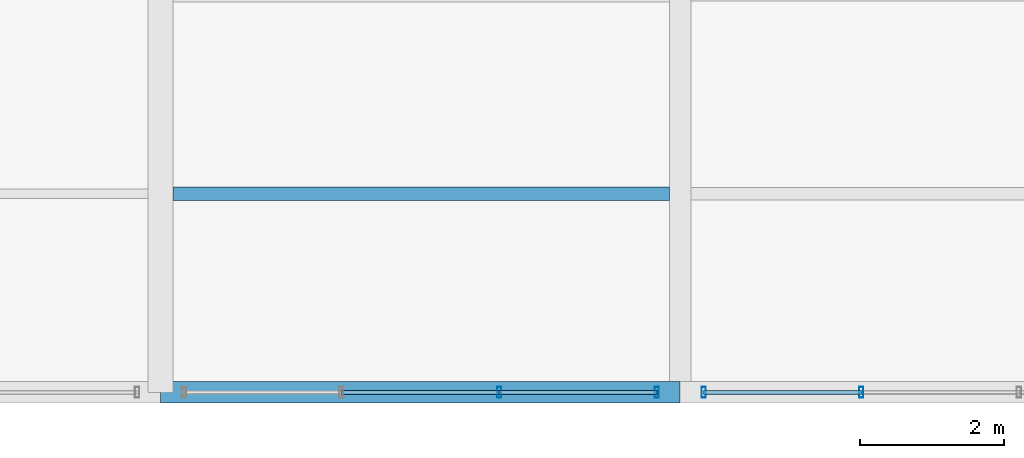
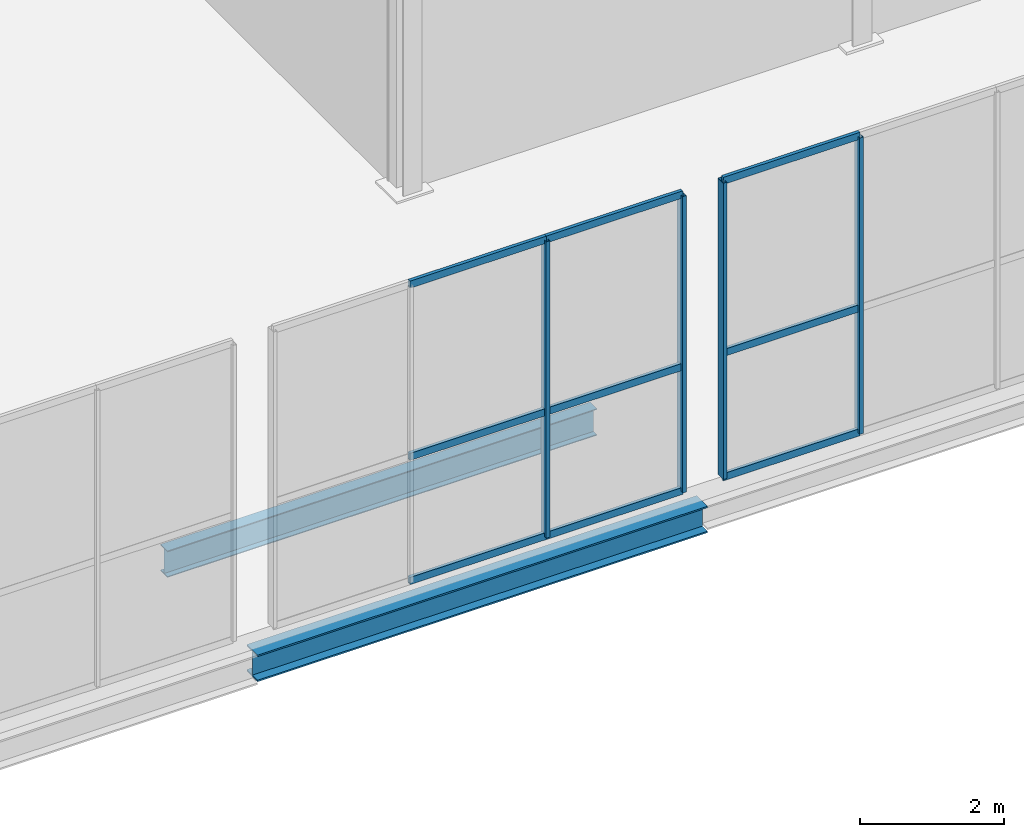
# One storey, part 31 of 147: 13 members, 2 beams, 2 elements without a shape of their own.
"""IFC4 building model written with IfcOpenShell, lengths in metres."""

from ifc_helpers import new_model, si_unit, direction, frame, origin, origin_2d, place, context, subcontext, project, spatial, hollow_rectangle, i_section, extrude, material, layer, layer_set, material_profile, profile_set, type_object, element, aggregate, save


model = new_model("IFC4")

# Units and contexts
model_context = context("Model", 3, precision=1e-05, world=origin(), true_north=direction((0.0, 1.0)))
body_context = subcontext(model_context, "Body", "Model", "MODEL_VIEW")
ifc_project = project(units=[si_unit("LENGTHUNIT", "METRE"), si_unit("AREAUNIT", "SQUARE_METRE"), si_unit("VOLUMEUNIT", "CUBIC_METRE"), si_unit("PLANEANGLEUNIT", "RADIAN"), si_unit("MASSUNIT", "GRAM", prefix="KILO")], contexts=[model_context])

# Site, building, storey
site_placement = place(None, origin())
site = spatial("IfcSite", under=ifc_project, at=site_placement, CompositionType="ELEMENT")
building_placement = place(site_placement, origin())
building = spatial("IfcBuilding", under=site, at=building_placement, Name="Sundgate Opera House", CompositionType="ELEMENT")
storey_placement = place(building_placement, frame((0.0, 0.0, 6.0)))
storey = spatial("IfcBuildingStorey", under=building, at=storey_placement, Name="L01", CompositionType="ELEMENT", Elevation=6.0)

# Beams
ifc_material_1 = material(Name="Steel S355J2", Category="steel")
ifc_material_profile_1 = material_profile(ifc_material_1, i_section(OverallWidth=0.300048828125, OverallDepth=0.449951171875, WebThickness=0.013916015625, FlangeThickness=0.02587890625, at=origin_2d()), Name="HEB 450")
ifc_profile_set_1 = profile_set([ifc_material_profile_1], Name="Steel S355J2")
beam_type_1 = type_object("IfcBeamType", Name="BM-GR-HEB450", PredefinedType="BEAM", material=ifc_profile_set_1)
beam_1_placement = place(storey_placement, frame((117.0, 0.0, -0.52490234375), z_axis=(1.0, 0.0, 0.0), x_axis=(0.0, 1.0, 0.0)))
element("IfcBeam", 1, at=beam_1_placement, inside=storey, type_object=beam_type_1, Name="L01 Primary E-W Girder B1275", PredefinedType="BEAM", context=body_context, shape_type="SweptSolid", body=[
    extrude(i_section(OverallWidth=0.300048828125, OverallDepth=0.449951171875, WebThickness=0.013916015625, FlangeThickness=0.02587890625, at=origin_2d()), origin(), (0.0, 0.0, 1.0), 7.199951171875),
])
ifc_material_2 = material(Name="Steel S355J2", Category="steel")
ifc_material_profile_2 = material_profile(ifc_material_2, i_section(OverallWidth=0.18994140625, OverallDepth=0.449951171875, WebThickness=0.009521484375, FlangeThickness=0.0146484375, at=origin_2d()), Name="IPE 450")
ifc_profile_set_2 = profile_set([ifc_material_profile_2], Name="Steel S355J2")
beam_type_2 = type_object("IfcBeamType", Name="BM-JS-IPE450", PredefinedType="JOIST", material=ifc_profile_set_2)
beam_2_placement = place(storey_placement, frame((117.175048828125, 2.75, -0.52490234375), z_axis=(1.0, 0.0, 0.0), x_axis=(0.0, 1.0, 0.0)))
element("IfcBeam", 2, at=beam_2_placement, inside=storey, type_object=beam_type_2, Name="L01 Secondary Floor Joist B1484", PredefinedType="JOIST", context=body_context, shape_type="SweptSolid", body=[
    extrude(i_section(OverallWidth=0.18994140625, OverallDepth=0.449951171875, WebThickness=0.009521484375, FlangeThickness=0.0146484375, at=origin_2d()), origin(), (0.0, 0.0, 1.0), 6.875),
])

# Curtain wall, members
ifc_material_3 = material(Name="Anodized aluminium and low-iron glass", Category="aluminium")
ifc_layer = layer(ifc_material_3, 0.14990234375)
ifc_layer_set = layer_set([ifc_layer], Name="Anodized aluminium and low-iron glass")
curtain_wall_type = type_object("IfcCurtainWallType", Name="CW-WORKSHOP-DARK", PredefinedType="NOTDEFINED", material=ifc_layer_set)
curtain_wall_1_placement = place(storey_placement, origin())
curtain_wall_1 = element("IfcCurtainWall", 3, at=curtain_wall_1_placement, inside=storey, type_object=curtain_wall_type, Name="L01 Curtain Wall CW138", PredefinedType="NOTDEFINED")
ifc_material_4 = material(Name="Anodized aluminium EN AW-6063", Category="aluminium")
ifc_material_profile_3 = material_profile(ifc_material_4, hollow_rectangle(XDim=0.06005859375, YDim=0.14990234375, WallThickness=0.00390625, at=origin_2d()), Name="CWM 150x60x4")
ifc_profile_set_3 = profile_set([ifc_material_profile_3], Name="Anodized aluminium EN AW-6063")
member_type_1 = type_object("IfcMemberType", Name="CWM-ALU-150x60", PredefinedType="MULLION", material=ifc_profile_set_3)
member_1_placement = place(storey_placement, frame((123.875, 0.0, 0.0), z_axis=(0.0, 0.0, 1.0), x_axis=(1.0, 0.0, 0.0)))
member_1 = element("IfcMember", 4, at=member_1_placement, type_object=member_type_1, Name="CW138 Mullion 1", PredefinedType="MULLION", context=body_context, shape_type="SweptSolid", body=[
    extrude(hollow_rectangle(XDim=0.06005859375, YDim=0.14990234375, WallThickness=0.00390625, at=origin_2d()), origin(), (0.0, 0.0, 1.0), 5.014892578125),
])
member_2_placement = place(storey_placement, frame((121.691650390625, 0.0, 0.0), z_axis=(0.0, 0.0, 1.0), x_axis=(1.0, 0.0, 0.0)))
member_2 = element("IfcMember", 5, at=member_2_placement, type_object=member_type_1, Name="CW138 Mullion 2", PredefinedType="MULLION", context=body_context, shape_type="SweptSolid", body=[
    extrude(hollow_rectangle(XDim=0.06005859375, YDim=0.14990234375, WallThickness=0.00390625, at=origin_2d()), origin(), (0.0, 0.0, 1.0), 5.014892578125),
])

curtain_wall_2_placement = place(storey_placement, origin())
curtain_wall_2 = element("IfcCurtainWall", 6, at=curtain_wall_2_placement, inside=storey, type_object=curtain_wall_type, Name="L01 Curtain Wall CW139", PredefinedType="NOTDEFINED")
member_3_placement = place(storey_placement, frame((126.708251953125, 0.0, 0.0), z_axis=(0.0, 0.0, 1.0), x_axis=(1.0, 0.0, 0.0)))
member_3 = element("IfcMember", 7, at=member_3_placement, type_object=member_type_1, Name="CW139 Mullion 3", PredefinedType="MULLION", context=body_context, shape_type="SweptSolid", body=[
    extrude(hollow_rectangle(XDim=0.06005859375, YDim=0.14990234375, WallThickness=0.00390625, at=origin_2d()), origin(), (0.0, 0.0, 1.0), 5.014892578125),
])
member_4_placement = place(storey_placement, frame((124.52490234375, 0.0, 0.0), z_axis=(0.0, 0.0, 1.0), x_axis=(1.0, 0.0, 0.0)))
member_4 = element("IfcMember", 8, at=member_4_placement, type_object=member_type_1, Name="CW139 Mullion 4", PredefinedType="MULLION", context=body_context, shape_type="SweptSolid", body=[
    extrude(hollow_rectangle(XDim=0.06005859375, YDim=0.14990234375, WallThickness=0.00390625, at=origin_2d()), origin(), (0.0, 0.0, 1.0), 5.014892578125),
])

# Member
ifc_material_5 = material(Name="Anodized aluminium EN AW-6063", Category="aluminium")
ifc_material_profile_4 = material_profile(ifc_material_5, hollow_rectangle(XDim=0.054931640625, YDim=0.1201171875, WallThickness=0.00390625, at=origin_2d()), Name="CWT 120x55x4")
ifc_profile_set_4 = profile_set([ifc_material_profile_4], Name="Anodized aluminium EN AW-6063")
member_type_2 = type_object("IfcMemberType", Name="CWT-ALU-120x55", PredefinedType="USERDEFINED", material=ifc_profile_set_4)
member_5_placement = place(storey_placement, frame((123.875, 0.0, 0.0), z_axis=(-1.0, 0.0, 0.0), x_axis=(0.0, -1.0, 0.0)))
member_5 = element("IfcMember", 9, at=member_5_placement, type_object=member_type_2, Name="CW138 Transom 1", ObjectType="TRANSOM", PredefinedType="USERDEFINED", context=body_context, shape_type="SweptSolid", body=[
    extrude(hollow_rectangle(XDim=0.054931640625, YDim=0.1201171875, WallThickness=0.00390625, at=origin_2d()), origin(), (0.0, 0.0, 1.0), 2.183349609375),
])

member_6_placement = place(storey_placement, frame((123.875, 0.0, 2.10009765625), z_axis=(-1.0, 0.0, 0.0), x_axis=(0.0, -1.0, 0.0)))
member_6 = element("IfcMember", 10, at=member_6_placement, type_object=member_type_2, Name="CW138 Transom 2", ObjectType="TRANSOM", PredefinedType="USERDEFINED", context=body_context, shape_type="SweptSolid", body=[
    extrude(hollow_rectangle(XDim=0.054931640625, YDim=0.1201171875, WallThickness=0.00390625, at=origin_2d()), origin(), (0.0, 0.0, 1.0), 2.183349609375),
])

member_7_placement = place(storey_placement, frame((123.875, 0.0, 5.014892578125), z_axis=(-1.0, 0.0, 0.0), x_axis=(0.0, -1.0, 0.0)))
member_7 = element("IfcMember", 11, at=member_7_placement, type_object=member_type_2, Name="CW138 Transom 3", ObjectType="TRANSOM", PredefinedType="USERDEFINED", context=body_context, shape_type="SweptSolid", body=[
    extrude(hollow_rectangle(XDim=0.054931640625, YDim=0.1201171875, WallThickness=0.00390625, at=origin_2d()), origin(), (0.0, 0.0, 1.0), 2.183349609375),
])

member_8_placement = place(storey_placement, frame((121.691650390625, 0.0, 0.0), z_axis=(-1.0, 0.0, 0.0), x_axis=(0.0, -1.0, 0.0)))
member_8 = element("IfcMember", 12, at=member_8_placement, type_object=member_type_2, Name="CW138 Transom 4", ObjectType="TRANSOM", PredefinedType="USERDEFINED", context=body_context, shape_type="SweptSolid", body=[
    extrude(hollow_rectangle(XDim=0.054931640625, YDim=0.1201171875, WallThickness=0.00390625, at=origin_2d()), origin(), (0.0, 0.0, 1.0), 2.183349609375),
])

member_9_placement = place(storey_placement, frame((121.691650390625, 0.0, 2.10009765625), z_axis=(-1.0, 0.0, 0.0), x_axis=(0.0, -1.0, 0.0)))
member_9 = element("IfcMember", 13, at=member_9_placement, type_object=member_type_2, Name="CW138 Transom 5", ObjectType="TRANSOM", PredefinedType="USERDEFINED", context=body_context, shape_type="SweptSolid", body=[
    extrude(hollow_rectangle(XDim=0.054931640625, YDim=0.1201171875, WallThickness=0.00390625, at=origin_2d()), origin(), (0.0, 0.0, 1.0), 2.183349609375),
])

member_10_placement = place(storey_placement, frame((121.691650390625, 0.0, 5.014892578125), z_axis=(-1.0, 0.0, 0.0), x_axis=(0.0, -1.0, 0.0)))
member_10 = element("IfcMember", 14, at=member_10_placement, type_object=member_type_2, Name="CW138 Transom 6", ObjectType="TRANSOM", PredefinedType="USERDEFINED", context=body_context, shape_type="SweptSolid", body=[
    extrude(hollow_rectangle(XDim=0.054931640625, YDim=0.1201171875, WallThickness=0.00390625, at=origin_2d()), origin(), (0.0, 0.0, 1.0), 2.183349609375),
])

aggregate(curtain_wall_1, [member_1, member_2, member_5, member_6, member_7, member_8, member_9, member_10])

member_11_placement = place(storey_placement, frame((126.708251953125, 0.0, 0.0), z_axis=(-1.0, 0.0, 0.0), x_axis=(0.0, -1.0, 0.0)))
member_11 = element("IfcMember", 15, at=member_11_placement, type_object=member_type_2, Name="CW139 Transom 7", ObjectType="TRANSOM", PredefinedType="USERDEFINED", context=body_context, shape_type="SweptSolid", body=[
    extrude(hollow_rectangle(XDim=0.054931640625, YDim=0.1201171875, WallThickness=0.00390625, at=origin_2d()), origin(), (0.0, 0.0, 1.0), 2.183349609375),
])

member_12_placement = place(storey_placement, frame((126.708251953125, 0.0, 2.10009765625), z_axis=(-1.0, 0.0, 0.0), x_axis=(0.0, -1.0, 0.0)))
member_12 = element("IfcMember", 16, at=member_12_placement, type_object=member_type_2, Name="CW139 Transom 8", ObjectType="TRANSOM", PredefinedType="USERDEFINED", context=body_context, shape_type="SweptSolid", body=[
    extrude(hollow_rectangle(XDim=0.054931640625, YDim=0.1201171875, WallThickness=0.00390625, at=origin_2d()), origin(), (0.0, 0.0, 1.0), 2.183349609375),
])

member_13_placement = place(storey_placement, frame((126.708251953125, 0.0, 5.014892578125), z_axis=(-1.0, 0.0, 0.0), x_axis=(0.0, -1.0, 0.0)))
member_13 = element("IfcMember", 17, at=member_13_placement, type_object=member_type_2, Name="CW139 Transom 9", ObjectType="TRANSOM", PredefinedType="USERDEFINED", context=body_context, shape_type="SweptSolid", body=[
    extrude(hollow_rectangle(XDim=0.054931640625, YDim=0.1201171875, WallThickness=0.00390625, at=origin_2d()), origin(), (0.0, 0.0, 1.0), 2.183349609375),
])

aggregate(curtain_wall_2, [member_3, member_4, member_11, member_12, member_13])

save(model, "model.ifc")
